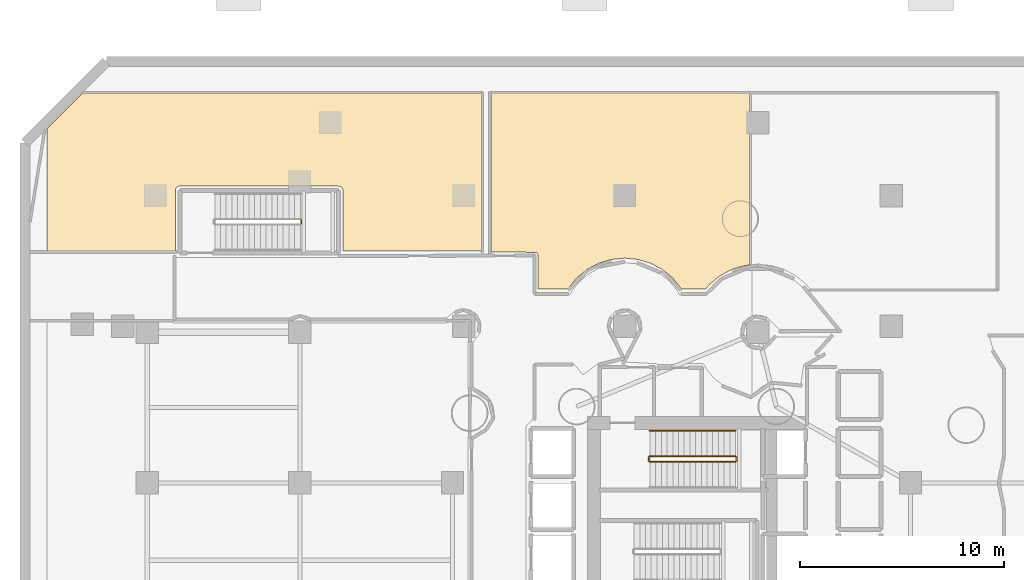
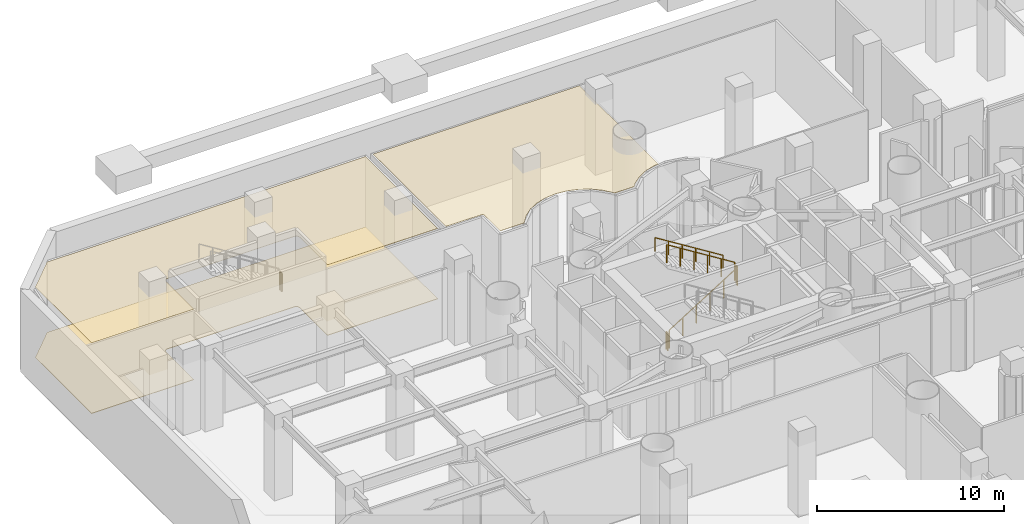
# One storey, part 10 of 11: 6 railings, 3 coverings.
"""IFC4 building model written with IfcOpenShell, lengths in metres."""

from ifc_helpers import new_model, si_unit, direction, frame, origin, origin_2d, place, context, subcontext, project, spatial, polyline, rectangle, outline, extrude, material, layer, layer_set, type_object, element, save


model = new_model("IFC4")

# Units and contexts
model_context = context("Model", 3, precision=1e-05, world=origin(), true_north=direction((0.0, 1.0)))
body_context = subcontext(model_context, "Body", "Model", "MODEL_VIEW")
ifc_project = project(units=[si_unit("LENGTHUNIT", "METRE"), si_unit("AREAUNIT", "SQUARE_METRE"), si_unit("VOLUMEUNIT", "CUBIC_METRE"), si_unit("PLANEANGLEUNIT", "RADIAN"), si_unit("MASSUNIT", "GRAM", prefix="KILO")], contexts=[model_context])

# Site, building, storey
site_placement = place(None, origin())
site = spatial("IfcSite", under=ifc_project, at=site_placement, CompositionType="ELEMENT")
building_placement = place(site_placement, origin())
building = spatial("IfcBuilding", under=site, at=building_placement, Name="Qianvela Tower", CompositionType="ELEMENT")
storey_placement = place(building_placement, frame((0.0, 0.0, -5.60009765625)))
storey = spatial("IfcBuildingStorey", under=building, at=storey_placement, Name="B01", CompositionType="ELEMENT", Elevation=-5.60009765625)

# Coverings
ifc_material_1 = material(Name="Perforated Mineral Acoustic Ceiling Tile")
ifc_layer_1 = layer(ifc_material_1, 0.02490234375)
ifc_layer_set_1 = layer_set([ifc_layer_1], Name="Perforated Mineral Acoustic Ceiling Tile")
covering_type_1 = type_object("IfcCoveringType", Name="COV-CEIL-ACOUSTIC-25", PredefinedType="CEILING", material=ifc_layer_set_1)
covering_1_placement = place(storey_placement, frame((0.0, 0.0, 4.59521484375)))
element("IfcCovering", 1, at=covering_1_placement, inside=storey, type_object=covering_type_1, Name="B01 Acoustic Ceiling B01 Student Electric Bicycle Hub North", PredefinedType="CEILING", context=body_context, shape_type="SweptSolid", body=[
    extrude(outline(polyline([(17.1201171875, 41.199951171875), (17.1201171875, 44.159912109375), (17.11962890625, 44.167724609375), (17.118408203125, 44.175537109375), (17.11669921875, 44.18310546875), (17.114013671875, 44.190673828125), (17.072998046875, 44.28955078125), (17.069580078125, 44.296630859375), (17.0654296875, 44.303466796875), (17.060791015625, 44.309814453125), (17.0556640625, 44.315673828125), (17.0498046875, 44.32080078125), (17.04345703125, 44.325439453125), (17.03662109375, 44.32958984375), (17.029541015625, 44.3330078125), (16.9306640625, 44.373779296875), (16.923095703125, 44.376708984375), (16.91552734375, 44.37841796875), (16.90771484375, 44.379638671875), (16.89990234375, 44.3798828125), (9.07275390625, 44.377197265625), (9.06396484375, 44.376708984375), (9.055419921875, 44.37548828125), (9.047119140625, 44.373046875), (9.039306640625, 44.3701171875), (9.031494140625, 44.365966796875), (8.95068359375, 44.3173828125), (8.944091796875, 44.31298828125), (8.93798828125, 44.30810546875), (8.9326171875, 44.302490234375), (8.927490234375, 44.29638671875), (8.923095703125, 44.289794921875), (8.91943359375, 44.282958984375), (8.91650390625, 44.27587890625), (8.884765625, 44.18701171875), (8.882080078125, 44.17822265625), (8.880615234375, 44.169189453125), (8.8798828125, 44.159912109375), (8.8798828125, 41.199951171875), (2.580078125, 41.199951171875), (2.580078125, 47.21240234375), (4.28759765625, 48.919921875), (23.919921875, 48.919921875), (23.919921875, 41.199951171875), (17.1201171875, 41.199951171875)])), origin(), (0.0, 0.0, 1.0), 0.02490234375),
])
covering_2_placement = place(storey_placement, frame((0.0, 0.0, 4.59521484375)))
element("IfcCovering", 2, at=covering_2_placement, inside=storey, type_object=covering_type_1, Name="B01 Acoustic Ceiling Bay 1 B01 Central Maintenance Workshop and Spares", PredefinedType="CEILING", context=body_context, shape_type="SweptSolid", body=[
    extrude(outline(polyline([(36.855712890625, 40.47900390625), (36.847900390625, 40.477783203125), (36.84033203125, 40.475830078125), (36.222900390625, 40.28759765625), (36.215576171875, 40.284912109375), (36.208251953125, 40.281494140625), (35.64501953125, 39.97900390625), (35.63818359375, 39.97509765625), (35.632080078125, 39.970458984375), (35.142578125, 39.568359375), (35.136962890625, 39.563232421875), (35.131591796875, 39.557373046875), (34.944580078125, 39.330078125), (33.739990234375, 39.330078125), (33.32470703125, 39.856201171875), (33.319091796875, 39.862548828125), (33.3125, 39.868408203125), (32.81298828125, 40.27734375), (32.806884765625, 40.281982421875), (32.800048828125, 40.285888671875), (32.241455078125, 40.584228515625), (32.234375, 40.587646484375), (32.22705078125, 40.590087890625), (31.620849609375, 40.7744140625), (31.61328125, 40.7763671875), (31.605712890625, 40.77734375), (30.96337890625, 40.841552734375), (30.955322265625, 40.842041015625), (30.947509765625, 40.841552734375), (30.30517578125, 40.77734375), (30.29736328125, 40.7763671875), (30.289794921875, 40.7744140625), (29.683837890625, 40.590087890625), (29.676513671875, 40.587646484375), (29.66943359375, 40.584228515625), (29.110595703125, 40.285888671875), (29.10400390625, 40.281982421875), (29.09765625, 40.27734375), (28.59814453125, 39.868408203125), (28.591796875, 39.862548828125), (28.5859375, 39.856201171875), (28.170654296875, 39.330078125), (26.69189453125, 39.330078125), (26.69189453125, 41.0), (26.691650390625, 41.007080078125), (26.69091796875, 41.01416015625), (26.689208984375, 41.02099609375), (26.68701171875, 41.027587890625), (26.684326171875, 41.0341796875), (26.66162109375, 41.08203125), (26.65771484375, 41.08935546875), (26.6533203125, 41.09619140625), (26.64794921875, 41.102294921875), (26.64208984375, 41.10791015625), (26.6357421875, 41.113037109375), (26.62890625, 41.117431640625), (26.62158203125, 41.12109375), (26.614013671875, 41.1240234375), (26.60595703125, 41.126220703125), (26.597900390625, 41.12744140625), (26.58984375, 41.1279296875), (24.3798828125, 41.1416015625), (24.3798828125, 48.919921875), (37.10986328125, 48.919921875), (37.10986328125, 40.50390625), (36.855712890625, 40.47900390625)])), origin(), (0.0, 0.0, 1.0), 0.02490234375),
])
ifc_material_2 = material(Name="Honed Stone Terrazzo Flooring", Category="masonry")
ifc_layer_2 = layer(ifc_material_2, 0.030029296875)
ifc_layer_set_2 = layer_set([ifc_layer_2], Name="Honed Stone Terrazzo Flooring")
covering_type_2 = type_object("IfcCoveringType", Name="COV-FLOOR-TERRAZZO-30", PredefinedType="FLOORING", material=ifc_layer_set_2)
covering_3_placement = place(storey_placement, origin())
element("IfcCovering", 3, at=covering_3_placement, inside=storey, type_object=covering_type_2, Name="B01 Finish Flooring B01 Student Electric Bicycle Hub North", PredefinedType="FLOORING", context=body_context, shape_type="SweptSolid", body=[
    extrude(outline(polyline([(17.1201171875, 41.199951171875), (17.1201171875, 44.159912109375), (17.11962890625, 44.167724609375), (17.118408203125, 44.175537109375), (17.11669921875, 44.18310546875), (17.114013671875, 44.190673828125), (17.072998046875, 44.28955078125), (17.069580078125, 44.296630859375), (17.0654296875, 44.303466796875), (17.060791015625, 44.309814453125), (17.0556640625, 44.315673828125), (17.0498046875, 44.32080078125), (17.04345703125, 44.325439453125), (17.03662109375, 44.32958984375), (17.029541015625, 44.3330078125), (16.9306640625, 44.373779296875), (16.923095703125, 44.376708984375), (16.91552734375, 44.37841796875), (16.90771484375, 44.379638671875), (16.89990234375, 44.3798828125), (9.07275390625, 44.377197265625), (9.06396484375, 44.376708984375), (9.055419921875, 44.37548828125), (9.047119140625, 44.373046875), (9.039306640625, 44.3701171875), (9.031494140625, 44.365966796875), (8.95068359375, 44.3173828125), (8.944091796875, 44.31298828125), (8.93798828125, 44.30810546875), (8.9326171875, 44.302490234375), (8.927490234375, 44.29638671875), (8.923095703125, 44.289794921875), (8.91943359375, 44.282958984375), (8.91650390625, 44.27587890625), (8.884765625, 44.18701171875), (8.882080078125, 44.17822265625), (8.880615234375, 44.169189453125), (8.8798828125, 44.159912109375), (8.8798828125, 41.199951171875), (2.580078125, 41.199951171875), (2.580078125, 47.21240234375), (4.28759765625, 48.919921875), (23.919921875, 48.919921875), (23.919921875, 41.199951171875), (17.1201171875, 41.199951171875)])), origin(), (0.0, 0.0, 1.0), 0.030029296875),
])

# Railings
ifc_material_3 = material(Name="Painted Tubular Steel Q355B", Category="steel")
railing_type_1 = type_object("IfcRailingType", Name="RL-STAIR-GUARD-1200", PredefinedType="GUARDRAIL", material=ifc_material_3)
railing_1_placement = place(storey_placement, frame((32.199951171875, 30.840087890625, 0.175048828125)))
element("IfcRailing", 4, at=railing_1_placement, inside=storey, type_object=railing_type_1, Name="B01 ST-1 stair guard 1", PredefinedType="GUARDRAIL", context=body_context, shape_type="SweptSolid", body=[
    extrude(rectangle(XDim=0.050048828125, YDim=0.0400390625, at=origin_2d()), frame((0.0, 0.0, 1.179931640625), z_axis=(0.847995534698, 0.0, 0.530003370869), x_axis=(0.0, 1.0, 0.0)), (0.0, 0.0, 1.0), 4.952880859375),
    extrude(rectangle(XDim=0.050048828125, YDim=0.050048828125, at=origin_2d()), origin(), (0.0, 0.0, 1.0), 1.159912109375),
    extrude(rectangle(XDim=0.050048828125, YDim=0.050048828125, at=origin_2d()), frame((0.840087890625, 0.0, 0.52490234375)), (0.0, 0.0, 1.0), 1.159912109375),
    extrude(rectangle(XDim=0.050048828125, YDim=0.050048828125, at=origin_2d()), frame((1.679931640625, 0.0, 1.050048828125)), (0.0, 0.0, 1.0), 1.159912109375),
    extrude(rectangle(XDim=0.050048828125, YDim=0.050048828125, at=origin_2d()), frame((2.52001953125, 0.0, 1.574951171875)), (0.0, 0.0, 1.0), 1.159912109375),
    extrude(rectangle(XDim=0.050048828125, YDim=0.050048828125, at=origin_2d()), frame((3.35986328125, 0.0, 2.10009765625)), (0.0, 0.0, 1.0), 1.159912109375),
    extrude(rectangle(XDim=0.050048828125, YDim=0.050048828125, at=origin_2d()), frame((4.199951171875, 0.0, 2.625)), (0.0, 0.0, 1.0), 1.159912109375),
])
railing_2_placement = place(storey_placement, frame((36.449951171875, 30.889892578125, 2.800048828125)))
element("IfcRailing", 5, at=railing_2_placement, inside=storey, type_object=railing_type_1, Name="B01 ST-1 stair guard 2", PredefinedType="GUARDRAIL", context=body_context, shape_type="SweptSolid", body=[
    extrude(rectangle(XDim=0.050048828125, YDim=0.0400390625, at=origin_2d()), frame((0.0, 0.0, 1.179931640625), z_axis=(0.0, 1.0, 0.0), x_axis=(-1.0, 0.0, 0.0)), (0.0, 0.0, 1.0), 0.16015625),
    extrude(rectangle(XDim=0.050048828125, YDim=0.050048828125, at=origin_2d()), origin(), (0.0, 0.0, 1.0), 1.159912109375),
    extrude(rectangle(XDim=0.050048828125, YDim=0.050048828125, at=origin_2d()), frame((0.0, 0.16015625, 0.0)), (0.0, 0.0, 1.0), 1.159912109375),
])
railing_3_placement = place(storey_placement, frame((36.39990234375, 31.10009765625, 2.97509765625)))
element("IfcRailing", 6, at=railing_3_placement, inside=storey, type_object=railing_type_1, Name="B01 ST-1 stair guard 3", PredefinedType="GUARDRAIL", context=body_context, shape_type="SweptSolid", body=[
    extrude(rectangle(XDim=0.050048828125, YDim=0.0400390625, at=origin_2d()), frame((0.0, 0.0, 1.179931640625), z_axis=(-0.847995534698, 0.0, 0.530003370869), x_axis=(0.0, -1.0, 0.0)), (0.0, 0.0, 1.0), 4.952880859375),
    extrude(rectangle(XDim=0.050048828125, YDim=0.050048828125, at=origin_2d()), origin(), (0.0, 0.0, 1.0), 1.159912109375),
    extrude(rectangle(XDim=0.050048828125, YDim=0.050048828125, at=origin_2d()), frame((-0.840087890625, 0.0, 0.52490234375)), (0.0, 0.0, 1.0), 1.159912109375),
    extrude(rectangle(XDim=0.050048828125, YDim=0.050048828125, at=origin_2d()), frame((-1.679931640625, 0.0, 1.050048828125)), (0.0, 0.0, 1.0), 1.159912109375),
    extrude(rectangle(XDim=0.050048828125, YDim=0.050048828125, at=origin_2d()), frame((-2.52001953125, 0.0, 1.574951171875)), (0.0, 0.0, 1.0), 1.159912109375),
    extrude(rectangle(XDim=0.050048828125, YDim=0.050048828125, at=origin_2d()), frame((-3.35986328125, 0.0, 2.10009765625)), (0.0, 0.0, 1.0), 1.159912109375),
    extrude(rectangle(XDim=0.050048828125, YDim=0.050048828125, at=origin_2d()), frame((-4.199951171875, 0.0, 2.625)), (0.0, 0.0, 1.0), 1.159912109375),
])
railing_4_placement = place(storey_placement, frame((32.14990234375, 30.889892578125, 0.0)))
element("IfcRailing", 7, at=railing_4_placement, inside=storey, type_object=railing_type_1, Name="B01 ST-1 stair guard 4", PredefinedType="GUARDRAIL", context=body_context, shape_type="SweptSolid", body=[
    extrude(rectangle(XDim=0.050048828125, YDim=0.0400390625, at=origin_2d()), frame((0.0, 0.0, 1.179931640625), z_axis=(0.0, 1.0, 0.0), x_axis=(-1.0, 0.0, 0.0)), (0.0, 0.0, 1.0), 0.16015625),
    extrude(rectangle(XDim=0.050048828125, YDim=0.050048828125, at=origin_2d()), origin(), (0.0, 0.0, 1.0), 1.159912109375),
    extrude(rectangle(XDim=0.050048828125, YDim=0.050048828125, at=origin_2d()), frame((0.0, 0.16015625, 0.0)), (0.0, 0.0, 1.0), 1.159912109375),
])
railing_5_placement = place(storey_placement, frame((15.070068359375, 42.550048828125, 2.800048828125)))
element("IfcRailing", 8, at=railing_5_placement, inside=storey, type_object=railing_type_1, Name="B01 ST-3 stair guard 2", PredefinedType="GUARDRAIL", context=body_context, shape_type="SweptSolid", body=[
    extrude(rectangle(XDim=0.050048828125, YDim=0.0400390625, at=origin_2d()), frame((0.0, 0.0, 1.179931640625), z_axis=(0.0, 1.0, 0.0), x_axis=(-1.0, 0.0, 0.0)), (0.0, 0.0, 1.0), 0.159912109375),
    extrude(rectangle(XDim=0.050048828125, YDim=0.050048828125, at=origin_2d()), origin(), (0.0, 0.0, 1.0), 1.159912109375),
    extrude(rectangle(XDim=0.050048828125, YDim=0.050048828125, at=origin_2d()), frame((0.0, 0.159912109375, 0.0)), (0.0, 0.0, 1.0), 1.159912109375),
])
ifc_material_4 = material(Name="Brushed Stainless Steel 304", Category="steel")
railing_type_2 = type_object("IfcRailingType", Name="RL-STAIR-HANDRAIL-900", PredefinedType="HANDRAIL", material=ifc_material_4)
railing_6_placement = place(storey_placement, frame((36.39990234375, 32.35009765625, 2.97509765625)))
element("IfcRailing", 9, at=railing_6_placement, inside=storey, type_object=railing_type_2, Name="B01 ST-1 stair handrail 2", PredefinedType="HANDRAIL", context=body_context, shape_type="SweptSolid", body=[
    extrude(rectangle(XDim=0.050048828125, YDim=0.0400390625, at=origin_2d()), frame((0.0, 0.0, 0.8798828125), z_axis=(-0.847995534698, 0.0, 0.530003370869), x_axis=(0.0, -1.0, 0.0)), (0.0, 0.0, 1.0), 4.952880859375),
    extrude(rectangle(XDim=0.050048828125, YDim=0.050048828125, at=origin_2d()), origin(), (0.0, 0.0, 1.0), 0.85986328125),
    extrude(rectangle(XDim=0.050048828125, YDim=0.050048828125, at=origin_2d()), frame((-0.840087890625, 0.0, 0.52490234375)), (0.0, 0.0, 1.0), 0.85986328125),
    extrude(rectangle(XDim=0.050048828125, YDim=0.050048828125, at=origin_2d()), frame((-1.679931640625, 0.0, 1.050048828125)), (0.0, 0.0, 1.0), 0.85986328125),
    extrude(rectangle(XDim=0.050048828125, YDim=0.050048828125, at=origin_2d()), frame((-2.52001953125, 0.0, 1.574951171875)), (0.0, 0.0, 1.0), 0.85986328125),
    extrude(rectangle(XDim=0.050048828125, YDim=0.050048828125, at=origin_2d()), frame((-3.35986328125, 0.0, 2.10009765625)), (0.0, 0.0, 1.0), 0.85986328125),
    extrude(rectangle(XDim=0.050048828125, YDim=0.050048828125, at=origin_2d()), frame((-4.199951171875, 0.0, 2.625)), (0.0, 0.0, 1.0), 0.85986328125),
])

save(model, "model.ifc")
